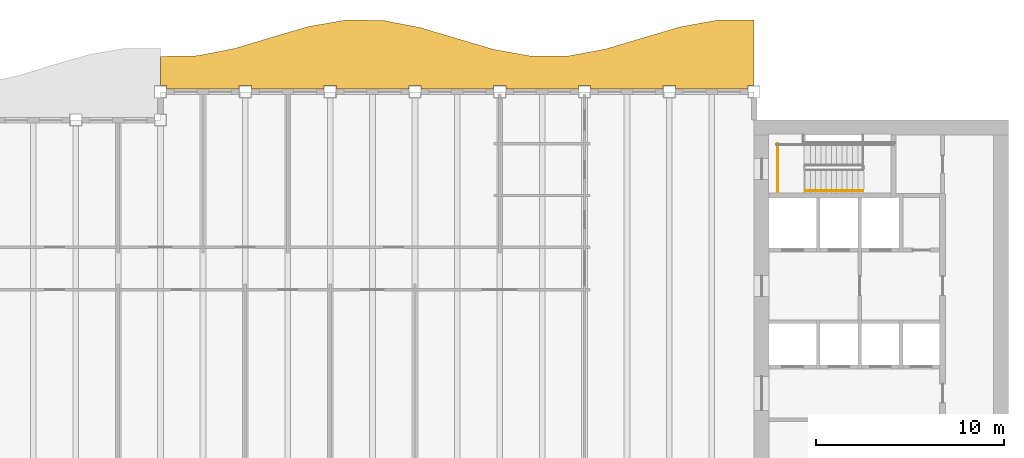
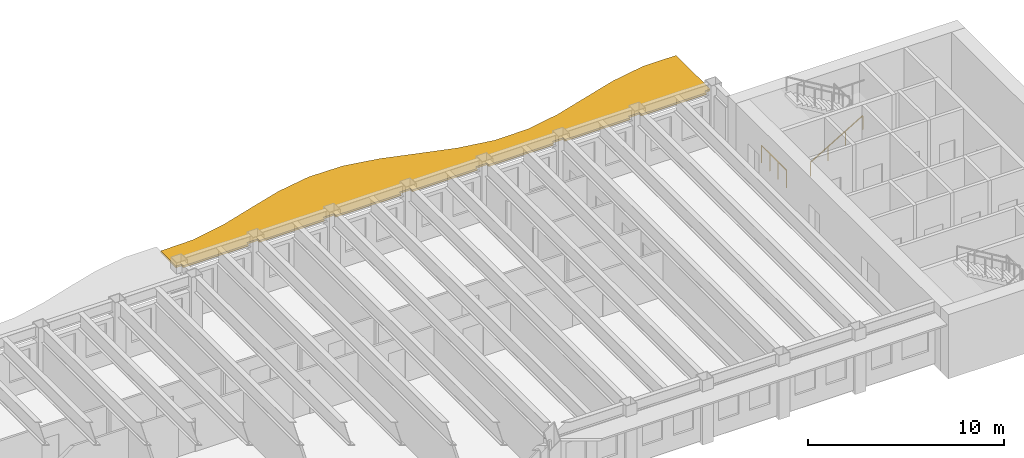
# One storey, part 11 of 12: 2 railings, 1 shading device.
"""IFC4 building model written with IfcOpenShell, lengths in metres."""

from ifc_helpers import new_model, si_unit, direction, frame, origin, origin_2d, place, context, subcontext, project, spatial, polyline, rectangle, outline, extrude, material, layer, layer_set, type_object, element, save


model = new_model("IFC4")

# Units and contexts
model_context = context("Model", 3, precision=1e-05, world=origin(), true_north=direction((0.0, 1.0)))
body_context = subcontext(model_context, "Body", "Model", "MODEL_VIEW")
ifc_project = project(units=[si_unit("LENGTHUNIT", "METRE"), si_unit("AREAUNIT", "SQUARE_METRE"), si_unit("VOLUMEUNIT", "CUBIC_METRE"), si_unit("PLANEANGLEUNIT", "RADIAN"), si_unit("MASSUNIT", "GRAM", prefix="KILO")], contexts=[model_context])

# Site, building, storey
site_placement = place(None, origin())
site = spatial("IfcSite", under=ifc_project, at=site_placement, CompositionType="ELEMENT")
building_placement = place(site_placement, origin())
building = spatial("IfcBuilding", under=site, at=building_placement, Name="Sennacour Bend Tower", CompositionType="ELEMENT")
storey_placement = place(building_placement, frame((0.0, 0.0, 285.0)))
storey = spatial("IfcBuildingStorey", under=building, at=storey_placement, Name="L66", CompositionType="ELEMENT", Elevation=285.0)

# Railings
ifc_material_1 = material(Name="Stainless steel", Category="steel")
railing_type_1 = type_object("IfcRailingType", Name="RL-GUARD-1100", PredefinedType="GUARDRAIL", material=ifc_material_1)
railing_1_placement = place(storey_placement, frame((55.25, 18.699951171875, 0.0)))
element("IfcRailing", 1, at=railing_1_placement, inside=storey, type_object=railing_type_1, Name="L66 SA2 stair guard 7", PredefinedType="GUARDRAIL", context=body_context, shape_type="SweptSolid", body=[
    extrude(rectangle(XDim=0.048095703125, YDim=0.048095703125, at=origin_2d()), frame((0.0, 0.0, 1.076171875), z_axis=(0.0, 1.0, 0.0), x_axis=(-1.0, 0.0, 0.0)), (0.0, 0.0, 1.0), 2.550048828125),
    extrude(rectangle(XDim=0.0419921875, YDim=0.0419921875, at=origin_2d()), origin(), (0.0, 0.0, 1.0), 1.052001953125),
    extrude(rectangle(XDim=0.0419921875, YDim=0.0419921875, at=origin_2d()), frame((0.0, 0.85009765625, 0.0)), (0.0, 0.0, 1.0), 1.052001953125),
    extrude(rectangle(XDim=0.0419921875, YDim=0.0419921875, at=origin_2d()), frame((0.0, 1.699951171875, 0.0)), (0.0, 0.0, 1.0), 1.052001953125),
    extrude(rectangle(XDim=0.0419921875, YDim=0.0419921875, at=origin_2d()), frame((0.0, 2.550048828125, 0.0)), (0.0, 0.0, 1.0), 1.052001953125),
])
railing_type_2 = type_object("IfcRailingType", Name="RL-HANDRAIL-900", PredefinedType="HANDRAIL", material=ifc_material_1)
railing_2_placement = place(storey_placement, frame((56.699951171875, 18.75, 0.166748046875)))
element("IfcRailing", 2, at=railing_2_placement, inside=storey, type_object=railing_type_2, Name="L66 SA2 stair handrail 1", PredefinedType="HANDRAIL", context=body_context, shape_type="SweptSolid", body=[
    extrude(rectangle(XDim=0.048095703125, YDim=0.048095703125, at=origin_2d()), frame((0.0, 0.0, 0.8759765625), z_axis=(0.859308565015, 0.0, 0.511457515432), x_axis=(0.0, 1.0, 0.0)), (0.0, 0.0, 1.0), 3.58447265625),
    extrude(rectangle(XDim=0.0419921875, YDim=0.0419921875, at=origin_2d()), origin(), (0.0, 0.0, 1.0), 0.851806640625),
    extrude(rectangle(XDim=0.0419921875, YDim=0.0419921875, at=origin_2d()), frame((1.026611328125, 0.0, 0.611083984375)), (0.0, 0.0, 1.0), 0.851806640625),
    extrude(rectangle(XDim=0.0419921875, YDim=0.0419921875, at=origin_2d()), frame((2.053466796875, 0.0, 1.22216796875)), (0.0, 0.0, 1.0), 0.851806640625),
    extrude(rectangle(XDim=0.0419921875, YDim=0.0419921875, at=origin_2d()), frame((3.080078125, 0.0, 1.833251953125)), (0.0, 0.0, 1.0), 0.851806640625),
])

# Shading device
ifc_material_2 = material(Name="Bronze anodised aluminium", Category="aluminium")
ifc_layer = layer(ifc_material_2, 0.1201171875, Name="Bronze anodised aluminium", Category="aluminium")
ifc_layer_set = layer_set([ifc_layer], Name="Bronze anodised aluminium")
shading_device_type = type_object("IfcShadingDeviceType", Name="SUNSHADE BAND WAVE", PredefinedType="USERDEFINED", material=ifc_layer_set)
shading_device_placement = place(storey_placement, frame((0.0, 0.0, 3.0419921875)))
element("IfcShadingDevice", 3, at=shading_device_placement, inside=storey, type_object=shading_device_type, Name="Sunshade band L66 concave faces", ObjectType="SUNSHADE", PredefinedType="USERDEFINED", context=body_context, shape_type="SweptSolid", body=[
    extrude(outline(polyline([(53.675048828125, 24.14990234375), (49.824951171875, 24.14990234375), (49.824951171875, 24.324951171875), (49.175048828125, 24.324951171875), (49.175048828125, 24.14990234375), (45.324951171875, 24.14990234375), (45.324951171875, 24.324951171875), (44.675048828125, 24.324951171875), (44.675048828125, 24.14990234375), (40.824951171875, 24.14990234375), (40.824951171875, 24.324951171875), (40.175048828125, 24.324951171875), (40.175048828125, 24.14990234375), (36.324951171875, 24.14990234375), (36.324951171875, 24.324951171875), (35.675048828125, 24.324951171875), (35.675048828125, 24.14990234375), (31.824951171875, 24.14990234375), (31.824951171875, 24.324951171875), (31.175048828125, 24.324951171875), (31.175048828125, 24.14990234375), (27.324951171875, 24.14990234375), (27.324951171875, 24.324951171875), (26.675048828125, 24.324951171875), (26.675048828125, 24.14990234375), (22.824951171875, 24.14990234375), (22.824951171875, 24.324951171875), (22.5, 24.324951171875), (22.5, 25.8828125), (24.46875, 25.916748046875), (26.4375, 26.303466796875), (28.40625, 26.896484375), (30.375, 27.471923828125), (32.34375, 27.8125), (34.3125, 27.789306640625), (36.28125, 27.41162109375), (38.25, 26.8212890625), (40.21875, 26.2421875), (42.1875, 25.892578125), (44.15625, 25.904541015625), (46.125, 26.273681640625), (48.09375, 26.860595703125), (50.0625, 27.443603515625), (52.03125, 27.80224609375), (54.0, 27.801025390625), (54.0, 24.324951171875), (53.675048828125, 24.324951171875), (53.675048828125, 24.14990234375)])), origin(), (0.0, 0.0, 1.0), 0.1201171875),
])

save(model, "model.ifc")
